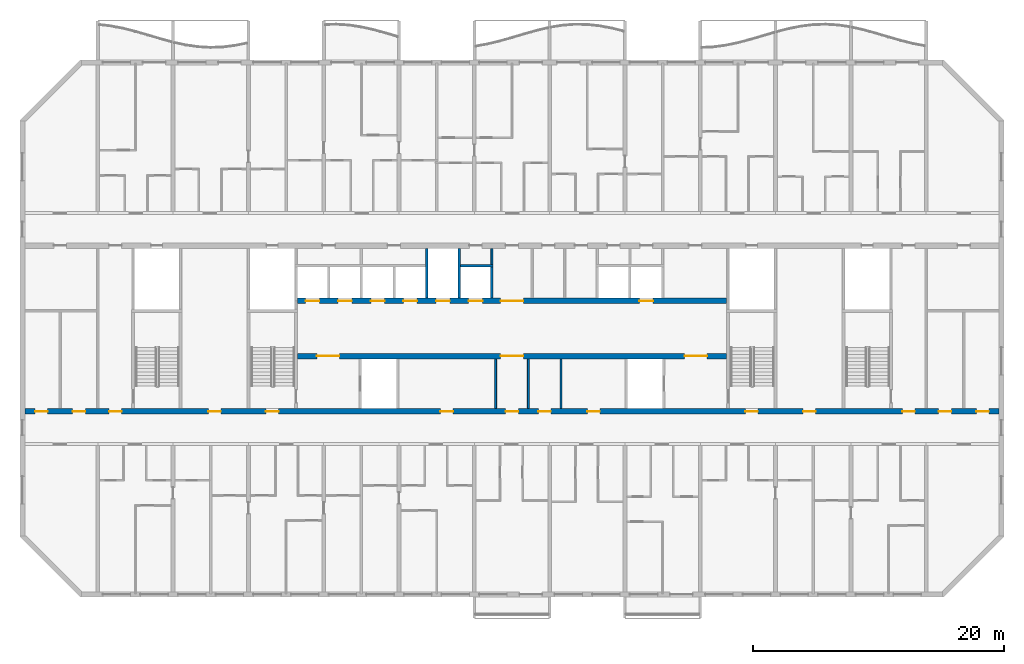
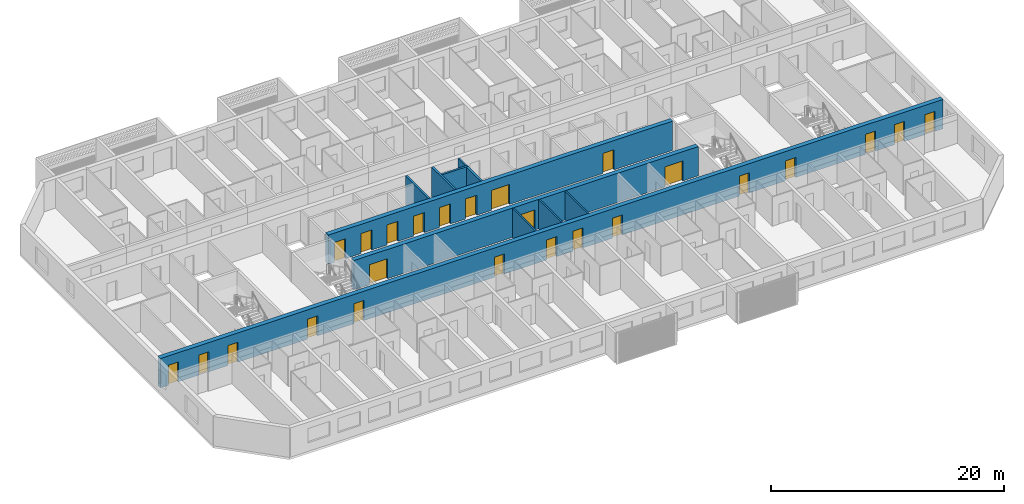
# One storey, part 6 of 31: 25 doors, 11 walls, 25 openings.
"""IFC4 building model written with IfcOpenShell, lengths in metres."""

from ifc_helpers import new_model, si_unit, direction, frame, frame_2d, origin, place, context, subcontext, project, spatial, rectangle, extrude, material, layer, layer_set, type_object, element, fill, save


model = new_model("IFC4")

# Units and contexts
model_context = context("Model", 3, precision=1e-05, world=origin(), true_north=direction((0.0, 1.0)))
body_context = subcontext(model_context, "Body", "Model", "MODEL_VIEW")
ifc_project = project(units=[si_unit("LENGTHUNIT", "METRE"), si_unit("AREAUNIT", "SQUARE_METRE"), si_unit("VOLUMEUNIT", "CUBIC_METRE"), si_unit("PLANEANGLEUNIT", "RADIAN"), si_unit("MASSUNIT", "GRAM", prefix="KILO")], contexts=[model_context])

# Site, building, storey
site_placement = place(None, origin())
site = spatial("IfcSite", under=ifc_project, at=site_placement, CompositionType="ELEMENT")
building_placement = place(site_placement, origin())
building = spatial("IfcBuilding", under=site, at=building_placement, Name="Poui Terraces", CompositionType="ELEMENT")
storey_placement = place(building_placement, frame((0.0, 0.0, 145.5)))
storey = spatial("IfcBuildingStorey", under=building, at=storey_placement, Name="L40", CompositionType="ELEMENT", Elevation=145.5)

# Wall, openings, doors
ifc_material_1 = material(Name="Concrete 65 MPa", Category="concrete")
ifc_layer_1 = layer(ifc_material_1, 0.449951171875)
ifc_layer_set_1 = layer_set([ifc_layer_1], Name="Concrete 65 MPa")
wall_type_1 = type_object("IfcWallType", Name="CORE WALL 450 65 MPA", PredefinedType="SOLIDWALL", material=ifc_layer_set_1)
wall_1_placement = place(storey_placement, frame((33.925048828125, 19.0, 0.0), z_axis=(0.0, 0.0, 1.0), x_axis=(1.0, 0.0, 0.0)))
wall_1 = element("IfcWall", 1, at=wall_1_placement, inside=storey, type_object=wall_type_1, Name="CORE WALL", PredefinedType="SOLIDWALL", context=body_context, shape_type="SweptSolid", body=[
    extrude(rectangle(XDim=34.14990234375, YDim=0.449951171875, at=frame_2d((17.074951171875, 0.0))), origin(), (0.0, 0.0, 1.0), 3.070068359375),
])
opening_1_placement = place(wall_1_placement, frame((16.175048828125, 0.0, 0.0)))
opening_1 = element("IfcOpeningElement", 2, at=opening_1_placement, cuts=wall_1, Name="Opening FDD60", PredefinedType="OPENING", context=body_context, shape_type="SweptSolid", body=[
    extrude(rectangle(XDim=1.800048828125, YDim=2.10009765625, at=frame_2d((0.89990234375, 1.050048828125))), frame((0.0, 0.23486328125, 0.0), z_axis=(0.0, -1.0, 0.0), x_axis=(1.0, 0.0, 0.0)), (0.0, 0.0, 1.0), 0.469970703125),
])
opening_2_placement = place(wall_1_placement, frame((1.52490234375, 0.0, 0.0)))
opening_2 = element("IfcOpeningElement", 3, at=opening_2_placement, cuts=wall_1, Name="Opening FDD60", PredefinedType="OPENING", context=body_context, shape_type="SweptSolid", body=[
    extrude(rectangle(XDim=1.800048828125, YDim=2.10009765625, at=frame_2d((0.89990234375, 1.050048828125))), frame((0.0, 0.23486328125, 0.0), z_axis=(0.0, -1.0, 0.0), x_axis=(1.0, 0.0, 0.0)), (0.0, 0.0, 1.0), 0.469970703125),
])
opening_3_placement = place(wall_1_placement, frame((30.824951171875, 0.0, 0.0)))
opening_3 = element("IfcOpeningElement", 4, at=opening_3_placement, cuts=wall_1, Name="Opening FDD60", PredefinedType="OPENING", context=body_context, shape_type="SweptSolid", body=[
    extrude(rectangle(XDim=1.800048828125, YDim=2.10009765625, at=frame_2d((0.89990234375, 1.050048828125))), frame((0.0, 0.23486328125, 0.0), z_axis=(0.0, -1.0, 0.0), x_axis=(1.0, 0.0, 0.0)), (0.0, 0.0, 1.0), 0.469970703125),
])
ifc_material_2 = material(Name="Steel fire door", Category="steel")
door_type_1 = type_object("IfcDoorType", Name="DOUBLE LOBBY FIRE DOOR 1800 X 2100", OperationType="DOUBLE_DOOR_SINGLE_SWING", PredefinedType="DOOR", material=ifc_material_2)
door_1_placement = place(opening_1_placement, frame((1.800048828125, 0.0, 0.0), z_axis=(0.0, 0.0, 1.0), x_axis=(-1.0, 0.0, 0.0)))
door_1 = element("IfcDoor", 5, at=door_1_placement, inside=storey, type_object=door_type_1, Name="DOUBLE LOBBY FIRE DOOR 125", OperationType="DOUBLE_DOOR_SINGLE_SWING", OverallHeight=2.10009765625, OverallWidth=1.800048828125, PredefinedType="DOOR", context=body_context, shape_type="SweptSolid", body=[
    extrude(rectangle(XDim=1.800048828125, YDim=2.10009765625, at=frame_2d((0.89990234375, 1.050048828125))), frame((0.0, 0.02490234375, 0.0), z_axis=(0.0, -1.0, 0.0), x_axis=(1.0, 0.0, 0.0)), (0.0, 0.0, 1.0), 0.050048828125),
])
fill(opening_1, door_1)
door_2_placement = place(opening_2_placement, origin())
door_2 = element("IfcDoor", 6, at=door_2_placement, inside=storey, type_object=door_type_1, Name="DOUBLE LOBBY FIRE DOOR 127", OperationType="DOUBLE_DOOR_SINGLE_SWING", OverallHeight=2.10009765625, OverallWidth=1.800048828125, PredefinedType="DOOR", context=body_context, shape_type="SweptSolid", body=[
    extrude(rectangle(XDim=1.800048828125, YDim=2.10009765625, at=frame_2d((0.89990234375, 1.050048828125))), frame((0.0, 0.02490234375, 0.0), z_axis=(0.0, -1.0, 0.0), x_axis=(1.0, 0.0, 0.0)), (0.0, 0.0, 1.0), 0.050048828125),
])
fill(opening_2, door_2)
door_3_placement = place(opening_3_placement, origin())
door_3 = element("IfcDoor", 7, at=door_3_placement, inside=storey, type_object=door_type_1, Name="DOUBLE LOBBY FIRE DOOR 134", OperationType="DOUBLE_DOOR_SINGLE_SWING", OverallHeight=2.10009765625, OverallWidth=1.800048828125, PredefinedType="DOOR", context=body_context, shape_type="SweptSolid", body=[
    extrude(rectangle(XDim=1.800048828125, YDim=2.10009765625, at=frame_2d((0.89990234375, 1.050048828125))), frame((0.0, 0.02490234375, 0.0), z_axis=(0.0, -1.0, 0.0), x_axis=(1.0, 0.0, 0.0)), (0.0, 0.0, 1.0), 0.050048828125),
])
fill(opening_3, door_3)

wall_2_placement = place(storey_placement, frame((33.925048828125, 23.39990234375, 0.0), z_axis=(0.0, 0.0, 1.0), x_axis=(1.0, 0.0, 0.0)))
wall_2 = element("IfcWall", 8, at=wall_2_placement, inside=storey, type_object=wall_type_1, Name="CORE WALL", PredefinedType="SOLIDWALL", context=body_context, shape_type="SweptSolid", body=[
    extrude(rectangle(XDim=34.14990234375, YDim=0.449951171875, at=frame_2d((17.074951171875, 0.0))), origin(), (0.0, 0.0, 1.0), 3.070068359375),
])
opening_4_placement = place(wall_2_placement, frame((16.175048828125, 0.0, 0.0)))
opening_4 = element("IfcOpeningElement", 9, at=opening_4_placement, cuts=wall_2, Name="Opening FDD60", PredefinedType="OPENING", context=body_context, shape_type="SweptSolid", body=[
    extrude(rectangle(XDim=1.800048828125, YDim=2.10009765625, at=frame_2d((0.89990234375, 1.050048828125))), frame((0.0, 0.23486328125, 0.0), z_axis=(0.0, -1.0, 0.0), x_axis=(1.0, 0.0, 0.0)), (0.0, 0.0, 1.0), 0.469970703125),
])
opening_5_placement = place(wall_2_placement, frame((0.625, 0.0, 0.0)))
opening_5 = element("IfcOpeningElement", 10, at=opening_5_placement, cuts=wall_2, Name="Opening LD", PredefinedType="OPENING", context=body_context, shape_type="SweptSolid", body=[
    extrude(rectangle(XDim=1.10009765625, YDim=2.10009765625, at=frame_2d((0.550048828125, 1.050048828125))), frame((0.0, 0.23486328125, 0.0), z_axis=(0.0, -1.0, 0.0), x_axis=(1.0, 0.0, 0.0)), (0.0, 0.0, 1.0), 0.469970703125),
])
opening_6_placement = place(wall_2_placement, frame((3.22509765625, 0.0, 0.0)))
opening_6 = element("IfcOpeningElement", 11, at=opening_6_placement, cuts=wall_2, Name="Opening LD", PredefinedType="OPENING", context=body_context, shape_type="SweptSolid", body=[
    extrude(rectangle(XDim=1.10009765625, YDim=2.10009765625, at=frame_2d((0.550048828125, 1.050048828125))), frame((0.0, 0.23486328125, 0.0), z_axis=(0.0, -1.0, 0.0), x_axis=(1.0, 0.0, 0.0)), (0.0, 0.0, 1.0), 0.469970703125),
])
opening_7_placement = place(wall_2_placement, frame((5.824951171875, 0.0, 0.0)))
opening_7 = element("IfcOpeningElement", 12, at=opening_7_placement, cuts=wall_2, Name="Opening LD", PredefinedType="OPENING", context=body_context, shape_type="SweptSolid", body=[
    extrude(rectangle(XDim=1.10009765625, YDim=2.10009765625, at=frame_2d((0.550048828125, 1.050048828125))), frame((0.0, 0.23486328125, 0.0), z_axis=(0.0, -1.0, 0.0), x_axis=(1.0, 0.0, 0.0)), (0.0, 0.0, 1.0), 0.469970703125),
])
opening_8_placement = place(wall_2_placement, frame((8.425048828125, 0.0, 0.0)))
opening_8 = element("IfcOpeningElement", 13, at=opening_8_placement, cuts=wall_2, Name="Opening LD", PredefinedType="OPENING", context=body_context, shape_type="SweptSolid", body=[
    extrude(rectangle(XDim=1.10009765625, YDim=2.10009765625, at=frame_2d((0.550048828125, 1.050048828125))), frame((0.0, 0.23486328125, 0.0), z_axis=(0.0, -1.0, 0.0), x_axis=(1.0, 0.0, 0.0)), (0.0, 0.0, 1.0), 0.469970703125),
])
opening_9_placement = place(wall_2_placement, frame((11.02490234375, 0.0, 0.0)))
opening_9 = element("IfcOpeningElement", 14, at=opening_9_placement, cuts=wall_2, Name="Opening LD", PredefinedType="OPENING", context=body_context, shape_type="SweptSolid", body=[
    extrude(rectangle(XDim=1.10009765625, YDim=2.10009765625, at=frame_2d((0.550048828125, 1.050048828125))), frame((0.0, 0.23486328125, 0.0), z_axis=(0.0, -1.0, 0.0), x_axis=(1.0, 0.0, 0.0)), (0.0, 0.0, 1.0), 0.469970703125),
])
opening_10_placement = place(wall_2_placement, frame((13.625, 0.0, 0.0)))
opening_10 = element("IfcOpeningElement", 15, at=opening_10_placement, cuts=wall_2, Name="Opening LD", PredefinedType="OPENING", context=body_context, shape_type="SweptSolid", body=[
    extrude(rectangle(XDim=1.10009765625, YDim=2.10009765625, at=frame_2d((0.550048828125, 1.050048828125))), frame((0.0, 0.23486328125, 0.0), z_axis=(0.0, -1.0, 0.0), x_axis=(1.0, 0.0, 0.0)), (0.0, 0.0, 1.0), 0.469970703125),
])
opening_11_placement = place(wall_2_placement, frame((27.22509765625, 0.0, 0.0)))
opening_11 = element("IfcOpeningElement", 16, at=opening_11_placement, cuts=wall_2, Name="Opening LD", PredefinedType="OPENING", context=body_context, shape_type="SweptSolid", body=[
    extrude(rectangle(XDim=1.10009765625, YDim=2.10009765625, at=frame_2d((0.550048828125, 1.050048828125))), frame((0.0, 0.23486328125, 0.0), z_axis=(0.0, -1.0, 0.0), x_axis=(1.0, 0.0, 0.0)), (0.0, 0.0, 1.0), 0.469970703125),
])
door_4_placement = place(opening_4_placement, origin())
door_4 = element("IfcDoor", 17, at=door_4_placement, inside=storey, type_object=door_type_1, Name="DOUBLE LOBBY FIRE DOOR 124", OperationType="DOUBLE_DOOR_SINGLE_SWING", OverallHeight=2.10009765625, OverallWidth=1.800048828125, PredefinedType="DOOR", context=body_context, shape_type="SweptSolid", body=[
    extrude(rectangle(XDim=1.800048828125, YDim=2.10009765625, at=frame_2d((0.89990234375, 1.050048828125))), frame((0.0, 0.02490234375, 0.0), z_axis=(0.0, -1.0, 0.0), x_axis=(1.0, 0.0, 0.0)), (0.0, 0.0, 1.0), 0.050048828125),
])
fill(opening_4, door_4)
ifc_material_3 = material(Name="Stainless steel sliding door", Category="steel")
door_type_2 = type_object("IfcDoorType", Name="LIFT LANDING DOOR 1100 X 2100", OperationType="DOUBLE_DOOR_SLIDING", PredefinedType="DOOR", material=ifc_material_3)
door_5_placement = place(opening_5_placement, origin())
door_5 = element("IfcDoor", 18, at=door_5_placement, inside=storey, type_object=door_type_2, Name="LANDING DOOR", OperationType="DOUBLE_DOOR_SLIDING", OverallHeight=2.10009765625, OverallWidth=1.10009765625, PredefinedType="DOOR", context=body_context, shape_type="SweptSolid", body=[
    extrude(rectangle(XDim=1.10009765625, YDim=2.10009765625, at=frame_2d((0.550048828125, 1.050048828125))), frame((0.0, 0.02490234375, 0.0), z_axis=(0.0, -1.0, 0.0), x_axis=(1.0, 0.0, 0.0)), (0.0, 0.0, 1.0), 0.050048828125),
])
fill(opening_5, door_5)
door_6_placement = place(opening_6_placement, origin())
door_6 = element("IfcDoor", 19, at=door_6_placement, inside=storey, type_object=door_type_2, Name="LANDING DOOR", OperationType="DOUBLE_DOOR_SLIDING", OverallHeight=2.10009765625, OverallWidth=1.10009765625, PredefinedType="DOOR", context=body_context, shape_type="SweptSolid", body=[
    extrude(rectangle(XDim=1.10009765625, YDim=2.10009765625, at=frame_2d((0.550048828125, 1.050048828125))), frame((0.0, 0.02490234375, 0.0), z_axis=(0.0, -1.0, 0.0), x_axis=(1.0, 0.0, 0.0)), (0.0, 0.0, 1.0), 0.050048828125),
])
fill(opening_6, door_6)
door_7_placement = place(opening_7_placement, origin())
door_7 = element("IfcDoor", 20, at=door_7_placement, inside=storey, type_object=door_type_2, Name="LANDING DOOR", OperationType="DOUBLE_DOOR_SLIDING", OverallHeight=2.10009765625, OverallWidth=1.10009765625, PredefinedType="DOOR", context=body_context, shape_type="SweptSolid", body=[
    extrude(rectangle(XDim=1.10009765625, YDim=2.10009765625, at=frame_2d((0.550048828125, 1.050048828125))), frame((0.0, 0.02490234375, 0.0), z_axis=(0.0, -1.0, 0.0), x_axis=(1.0, 0.0, 0.0)), (0.0, 0.0, 1.0), 0.050048828125),
])
fill(opening_7, door_7)
door_8_placement = place(opening_8_placement, origin())
door_8 = element("IfcDoor", 21, at=door_8_placement, inside=storey, type_object=door_type_2, Name="LANDING DOOR", OperationType="DOUBLE_DOOR_SLIDING", OverallHeight=2.10009765625, OverallWidth=1.10009765625, PredefinedType="DOOR", context=body_context, shape_type="SweptSolid", body=[
    extrude(rectangle(XDim=1.10009765625, YDim=2.10009765625, at=frame_2d((0.550048828125, 1.050048828125))), frame((0.0, 0.02490234375, 0.0), z_axis=(0.0, -1.0, 0.0), x_axis=(1.0, 0.0, 0.0)), (0.0, 0.0, 1.0), 0.050048828125),
])
fill(opening_8, door_8)
door_9_placement = place(opening_9_placement, origin())
door_9 = element("IfcDoor", 22, at=door_9_placement, inside=storey, type_object=door_type_2, Name="LANDING DOOR", OperationType="DOUBLE_DOOR_SLIDING", OverallHeight=2.10009765625, OverallWidth=1.10009765625, PredefinedType="DOOR", context=body_context, shape_type="SweptSolid", body=[
    extrude(rectangle(XDim=1.10009765625, YDim=2.10009765625, at=frame_2d((0.550048828125, 1.050048828125))), frame((0.0, 0.02490234375, 0.0), z_axis=(0.0, -1.0, 0.0), x_axis=(1.0, 0.0, 0.0)), (0.0, 0.0, 1.0), 0.050048828125),
])
fill(opening_9, door_9)
door_10_placement = place(opening_10_placement, origin())
door_10 = element("IfcDoor", 23, at=door_10_placement, inside=storey, type_object=door_type_2, Name="LANDING DOOR", OperationType="DOUBLE_DOOR_SLIDING", OverallHeight=2.10009765625, OverallWidth=1.10009765625, PredefinedType="DOOR", context=body_context, shape_type="SweptSolid", body=[
    extrude(rectangle(XDim=1.10009765625, YDim=2.10009765625, at=frame_2d((0.550048828125, 1.050048828125))), frame((0.0, 0.02490234375, 0.0), z_axis=(0.0, -1.0, 0.0), x_axis=(1.0, 0.0, 0.0)), (0.0, 0.0, 1.0), 0.050048828125),
])
fill(opening_10, door_10)
door_11_placement = place(opening_11_placement, origin())
door_11 = element("IfcDoor", 24, at=door_11_placement, inside=storey, type_object=door_type_2, Name="LANDING DOOR", OperationType="DOUBLE_DOOR_SLIDING", OverallHeight=2.10009765625, OverallWidth=1.10009765625, PredefinedType="DOOR", context=body_context, shape_type="SweptSolid", body=[
    extrude(rectangle(XDim=1.10009765625, YDim=2.10009765625, at=frame_2d((0.550048828125, 1.050048828125))), frame((0.0, 0.02490234375, 0.0), z_axis=(0.0, -1.0, 0.0), x_axis=(1.0, 0.0, 0.0)), (0.0, 0.0, 1.0), 0.050048828125),
])
fill(opening_11, door_11)

# Walls
ifc_material_4 = material(Name="Fire-rated plasterboard wall")
ifc_layer_2 = layer(ifc_material_4, 0.14990234375)
ifc_layer_set_2 = layer_set([ifc_layer_2], Name="Fire-rated plasterboard wall")
wall_type_2 = type_object("IfcWallType", Name="CORRIDOR WALL 150", PredefinedType="PARTITIONING", material=ifc_layer_set_2)
wall_3_placement = place(storey_placement, frame((49.39990234375, 26.300048828125, 0.0), z_axis=(0.0, 0.0, 1.0), x_axis=(0.0, 1.0, 0.0)))
element("IfcWall", 25, at=wall_3_placement, inside=storey, type_object=wall_type_2, Name="CORRIDOR WALL 150", PredefinedType="PARTITIONING", context=body_context, shape_type="SweptSolid", body=[
    extrude(rectangle(XDim=1.264892578125, YDim=0.14990234375, at=frame_2d((0.63232421875, 0.0))), origin(), (0.0, 0.0, 1.0), 3.070068359375),
])
for number, where, z_axis, x_axis, name in (
    (26, (49.699951171875, 14.8349609375, 0.0), (0.0, 0.0, 1.0), (0.0, 1.0, 0.0), "CORRIDOR WALL 150"),
    (27, (52.300048828125, 14.8349609375, 0.0), (0.0, 0.0, 1.0), (0.0, 1.0, 0.0), "CORRIDOR WALL 150"),
):
    element("IfcWall", number, at=place(storey_placement, frame(where, z_axis=z_axis, x_axis=x_axis)), inside=storey, type_object=wall_type_2, Name=name, PredefinedType="PARTITIONING", context=body_context, shape_type="SweptSolid", body=[
        extrude(rectangle(XDim=3.929931640625, YDim=0.14990234375, at=frame_2d((1.96484375, 0.0))), origin(), (0.0, 0.0, 1.0), 3.070068359375),
    ])
ifc_material_5 = material(Name="Plasterboard partition")
ifc_layer_3 = layer(ifc_material_5, 0.14990234375)
ifc_layer_set_3 = layer_set([ifc_layer_3], Name="Plasterboard partition")
wall_type_3 = type_object("IfcWallType", Name="PARTITION WALL 150", PredefinedType="PARTITIONING", material=ifc_layer_set_3)
wall_4_placement = place(storey_placement, frame((54.89990234375, 14.8349609375, 0.0), z_axis=(0.0, 0.0, 1.0), x_axis=(0.0, 1.0, 0.0)))
element("IfcWall", 28, at=wall_4_placement, inside=storey, type_object=wall_type_3, Name="PARTITION WALL 150", PredefinedType="PARTITIONING", context=body_context, shape_type="SweptSolid", body=[
    extrude(rectangle(XDim=3.929931640625, YDim=0.14990234375, at=frame_2d((1.96484375, 0.0))), origin(), (0.0, 0.0, 1.0), 3.070068359375),
])
ifc_material_6 = material(Name="Fire-rated masonry shaft wall", Category="masonry")
ifc_layer_4 = layer(ifc_material_6, 0.199951171875)
ifc_layer_set_4 = layer_set([ifc_layer_4], Name="Fire-rated masonry shaft wall")
wall_type_4 = type_object("IfcWallType", Name="SHAFT WALL 200", PredefinedType="PARTITIONING", material=ifc_layer_set_4)
wall_5_placement = place(storey_placement, frame((46.89990234375, 26.199951171875, 0.0), z_axis=(0.0, 0.0, 1.0), x_axis=(1.0, 0.0, 0.0)))
element("IfcWall", 29, at=wall_5_placement, inside=storey, type_object=wall_type_4, Name="SHAFT WALL 200", PredefinedType="PARTITIONING", context=body_context, shape_type="SweptSolid", body=[
    extrude(rectangle(XDim=2.60009765625, YDim=0.199951171875, at=frame_2d((1.300048828125, 0.0))), origin(), (0.0, 0.0, 1.0), 3.070068359375),
])
for number, where, z_axis, x_axis, name in (
    (30, (44.199951171875, 23.635009765625, 0.0), (0.0, 0.0, 1.0), (0.0, 1.0, 0.0), "SHAFT WALL 200"),
    (31, (46.800048828125, 23.635009765625, 0.0), (0.0, 0.0, 1.0), (0.0, 1.0, 0.0), "SHAFT WALL 200"),
):
    element("IfcWall", number, at=place(storey_placement, frame(where, z_axis=z_axis, x_axis=x_axis)), inside=storey, type_object=wall_type_4, Name=name, PredefinedType="PARTITIONING", context=body_context, shape_type="SweptSolid", body=[
        extrude(rectangle(XDim=3.929931640625, YDim=0.199951171875, at=frame_2d((1.96484375, 0.0))), origin(), (0.0, 0.0, 1.0), 3.070068359375),
    ])
wall_6_placement = place(storey_placement, frame((49.39990234375, 23.635009765625, 0.0), z_axis=(0.0, 0.0, 1.0), x_axis=(0.0, 1.0, 0.0)))
element("IfcWall", 32, at=wall_6_placement, inside=storey, type_object=wall_type_4, Name="SHAFT WALL 200", PredefinedType="PARTITIONING", context=body_context, shape_type="SweptSolid", body=[
    extrude(rectangle(XDim=2.465087890625, YDim=0.199951171875, at=frame_2d((1.232421875, 0.0))), origin(), (0.0, 0.0, 1.0), 3.070068359375),
])

# Wall, openings, doors
ifc_layer_5 = layer(ifc_material_1, 0.449951171875)
ifc_layer_set_5 = layer_set([ifc_layer_5], Name="Concrete 65 MPa")
wall_type_5 = type_object("IfcWallType", Name="SPINE WALL 450 65 MPA", PredefinedType="SOLIDWALL", material=ifc_layer_set_5)
wall_7_placement = place(storey_placement, frame((12.199951171875, 14.60009765625, 0.0), z_axis=(0.0, 0.0, 1.0), x_axis=(1.0, 0.0, 0.0)))
wall_7 = element("IfcWall", 33, at=wall_7_placement, inside=storey, type_object=wall_type_5, Name="SPINE WALL", PredefinedType="SOLIDWALL", context=body_context, shape_type="SweptSolid", body=[
    extrude(rectangle(XDim=77.60009765625, YDim=0.449951171875, at=frame_2d((38.800048828125, 0.0))), origin(), (0.0, 0.0, 1.0), 3.070068359375),
])
opening_12_placement = place(wall_7_placement, frame((0.800048828125, 0.0, 0.0)))
opening_12 = element("IfcOpeningElement", 34, at=opening_12_placement, cuts=wall_7, Name="Opening FD60", PredefinedType="OPENING", context=body_context, shape_type="SweptSolid", body=[
    extrude(rectangle(XDim=1.0, YDim=2.10009765625, at=frame_2d((0.5, 1.050048828125))), frame((0.0, 0.23486328125, 0.0), z_axis=(0.0, -1.0, 0.0), x_axis=(1.0, 0.0, 0.0)), (0.0, 0.0, 1.0), 0.469970703125),
])
opening_13_placement = place(wall_7_placement, frame((3.800048828125, 0.0, 0.0)))
opening_13 = element("IfcOpeningElement", 35, at=opening_13_placement, cuts=wall_7, Name="Opening FD60", PredefinedType="OPENING", context=body_context, shape_type="SweptSolid", body=[
    extrude(rectangle(XDim=1.0, YDim=2.10009765625, at=frame_2d((0.5, 1.050048828125))), frame((0.0, 0.23486328125, 0.0), z_axis=(0.0, -1.0, 0.0), x_axis=(1.0, 0.0, 0.0)), (0.0, 0.0, 1.0), 0.469970703125),
])
opening_14_placement = place(wall_7_placement, frame((6.699951171875, 0.0, 0.0)))
opening_14 = element("IfcOpeningElement", 36, at=opening_14_placement, cuts=wall_7, Name="Opening FDL", PredefinedType="OPENING", context=body_context, shape_type="SweptSolid", body=[
    extrude(rectangle(XDim=1.0, YDim=2.10009765625, at=frame_2d((0.5, 1.050048828125))), frame((0.0, 0.23486328125, 0.0), z_axis=(0.0, -1.0, 0.0), x_axis=(1.0, 0.0, 0.0)), (0.0, 0.0, 1.0), 0.469970703125),
])
opening_15_placement = place(wall_7_placement, frame((14.60009765625, 0.0, 0.0)))
opening_15 = element("IfcOpeningElement", 37, at=opening_15_placement, cuts=wall_7, Name="Opening D100", PredefinedType="OPENING", context=body_context, shape_type="SweptSolid", body=[
    extrude(rectangle(XDim=1.0, YDim=2.10009765625, at=frame_2d((0.5, 1.050048828125))), frame((0.0, 0.23486328125, 0.0), z_axis=(0.0, -1.0, 0.0), x_axis=(1.0, 0.0, 0.0)), (0.0, 0.0, 1.0), 0.469970703125),
])
opening_16_placement = place(wall_7_placement, frame((19.199951171875, 0.0, 0.0)))
opening_16 = element("IfcOpeningElement", 38, at=opening_16_placement, cuts=wall_7, Name="Opening FD60S", PredefinedType="OPENING", context=body_context, shape_type="SweptSolid", body=[
    extrude(rectangle(XDim=1.0, YDim=2.10009765625, at=frame_2d((0.5, 1.050048828125))), frame((0.0, 0.23486328125, 0.0), z_axis=(0.0, -1.0, 0.0), x_axis=(1.0, 0.0, 0.0)), (0.0, 0.0, 1.0), 0.469970703125),
])
opening_17_placement = place(wall_7_placement, frame((33.10009765625, 0.0, 0.0)))
opening_17 = element("IfcOpeningElement", 39, at=opening_17_placement, cuts=wall_7, Name="Opening FD60", PredefinedType="OPENING", context=body_context, shape_type="SweptSolid", body=[
    extrude(rectangle(XDim=1.0, YDim=2.10009765625, at=frame_2d((0.5, 1.050048828125))), frame((0.0, 0.23486328125, 0.0), z_axis=(0.0, -1.0, 0.0), x_axis=(1.0, 0.0, 0.0)), (0.0, 0.0, 1.0), 0.469970703125),
])
opening_18_placement = place(wall_7_placement, frame((38.300048828125, 0.0, 0.0)))
opening_18 = element("IfcOpeningElement", 40, at=opening_18_placement, cuts=wall_7, Name="Opening FDL", PredefinedType="OPENING", context=body_context, shape_type="SweptSolid", body=[
    extrude(rectangle(XDim=1.0, YDim=2.10009765625, at=frame_2d((0.5, 1.050048828125))), frame((0.0, 0.23486328125, 0.0), z_axis=(0.0, -1.0, 0.0), x_axis=(1.0, 0.0, 0.0)), (0.0, 0.0, 1.0), 0.469970703125),
])
opening_19_placement = place(wall_7_placement, frame((40.89990234375, 0.0, 0.0)))
opening_19 = element("IfcOpeningElement", 41, at=opening_19_placement, cuts=wall_7, Name="Opening FD60", PredefinedType="OPENING", context=body_context, shape_type="SweptSolid", body=[
    extrude(rectangle(XDim=1.0, YDim=2.10009765625, at=frame_2d((0.5, 1.050048828125))), frame((0.0, 0.23486328125, 0.0), z_axis=(0.0, -1.0, 0.0), x_axis=(1.0, 0.0, 0.0)), (0.0, 0.0, 1.0), 0.469970703125),
])
opening_20_placement = place(wall_7_placement, frame((44.800048828125, 0.0, 0.0)))
opening_20 = element("IfcOpeningElement", 42, at=opening_20_placement, cuts=wall_7, Name="Opening FD60", PredefinedType="OPENING", context=body_context, shape_type="SweptSolid", body=[
    extrude(rectangle(XDim=1.0, YDim=2.10009765625, at=frame_2d((0.5, 1.050048828125))), frame((0.0, 0.23486328125, 0.0), z_axis=(0.0, -1.0, 0.0), x_axis=(1.0, 0.0, 0.0)), (0.0, 0.0, 1.0), 0.469970703125),
])
opening_21_placement = place(wall_7_placement, frame((57.39990234375, 0.0, 0.0)))
opening_21 = element("IfcOpeningElement", 43, at=opening_21_placement, cuts=wall_7, Name="Opening FD60S", PredefinedType="OPENING", context=body_context, shape_type="SweptSolid", body=[
    extrude(rectangle(XDim=1.0, YDim=2.10009765625, at=frame_2d((0.5, 1.050048828125))), frame((0.0, 0.23486328125, 0.0), z_axis=(0.0, -1.0, 0.0), x_axis=(1.0, 0.0, 0.0)), (0.0, 0.0, 1.0), 0.469970703125),
])
opening_22_placement = place(wall_7_placement, frame((62.0, 0.0, 0.0)))
opening_22 = element("IfcOpeningElement", 44, at=opening_22_placement, cuts=wall_7, Name="Opening D100", PredefinedType="OPENING", context=body_context, shape_type="SweptSolid", body=[
    extrude(rectangle(XDim=1.0, YDim=2.10009765625, at=frame_2d((0.5, 1.050048828125))), frame((0.0, 0.23486328125, 0.0), z_axis=(0.0, -1.0, 0.0), x_axis=(1.0, 0.0, 0.0)), (0.0, 0.0, 1.0), 0.469970703125),
])
opening_23_placement = place(wall_7_placement, frame((69.89990234375, 0.0, 0.0)))
opening_23 = element("IfcOpeningElement", 45, at=opening_23_placement, cuts=wall_7, Name="Opening FDL", PredefinedType="OPENING", context=body_context, shape_type="SweptSolid", body=[
    extrude(rectangle(XDim=1.0, YDim=2.10009765625, at=frame_2d((0.5, 1.050048828125))), frame((0.0, 0.23486328125, 0.0), z_axis=(0.0, -1.0, 0.0), x_axis=(1.0, 0.0, 0.0)), (0.0, 0.0, 1.0), 0.469970703125),
])
opening_24_placement = place(wall_7_placement, frame((72.800048828125, 0.0, 0.0)))
opening_24 = element("IfcOpeningElement", 46, at=opening_24_placement, cuts=wall_7, Name="Opening FD60", PredefinedType="OPENING", context=body_context, shape_type="SweptSolid", body=[
    extrude(rectangle(XDim=1.0, YDim=2.10009765625, at=frame_2d((0.5, 1.050048828125))), frame((0.0, 0.23486328125, 0.0), z_axis=(0.0, -1.0, 0.0), x_axis=(1.0, 0.0, 0.0)), (0.0, 0.0, 1.0), 0.469970703125),
])
opening_25_placement = place(wall_7_placement, frame((75.800048828125, 0.0, 0.0)))
opening_25 = element("IfcOpeningElement", 47, at=opening_25_placement, cuts=wall_7, Name="Opening D100", PredefinedType="OPENING", context=body_context, shape_type="SweptSolid", body=[
    extrude(rectangle(XDim=1.0, YDim=2.10009765625, at=frame_2d((0.5, 1.050048828125))), frame((0.0, 0.23486328125, 0.0), z_axis=(0.0, -1.0, 0.0), x_axis=(1.0, 0.0, 0.0)), (0.0, 0.0, 1.0), 0.469970703125),
])
ifc_material_7 = material(Name="Solid core timber door", Category="wood")
door_type_3 = type_object("IfcDoorType", Name="ACCESSIBLE INTERNAL DOOR 1000 X 2100", OperationType="NOTDEFINED", PredefinedType="DOOR", material=ifc_material_7)
door_12_placement = place(opening_15_placement, frame((1.0, 0.0, 0.0), z_axis=(0.0, 0.0, 1.0), x_axis=(-1.0, 0.0, 0.0)))
door_12 = element("IfcDoor", 48, at=door_12_placement, inside=storey, type_object=door_type_3, Name="ACCESSIBLE INTERNAL DOOR 021", OperationType="SINGLE_SWING_RIGHT", OverallHeight=2.10009765625, OverallWidth=1.0, PredefinedType="DOOR", context=body_context, shape_type="SweptSolid", body=[
    extrude(rectangle(XDim=1.0, YDim=2.10009765625, at=frame_2d((0.5, 1.050048828125))), frame((0.0, 0.02490234375, 0.0), z_axis=(0.0, -1.0, 0.0), x_axis=(1.0, 0.0, 0.0)), (0.0, 0.0, 1.0), 0.050048828125),
])
fill(opening_15, door_12)
door_13_placement = place(opening_22_placement, frame((1.0, 0.0, 0.0), z_axis=(0.0, 0.0, 1.0), x_axis=(-1.0, 0.0, 0.0)))
door_13 = element("IfcDoor", 49, at=door_13_placement, inside=storey, type_object=door_type_3, Name="ACCESSIBLE INTERNAL DOOR 028", OperationType="SINGLE_SWING_LEFT", OverallHeight=2.10009765625, OverallWidth=1.0, PredefinedType="DOOR", context=body_context, shape_type="SweptSolid", body=[
    extrude(rectangle(XDim=1.0, YDim=2.10009765625, at=frame_2d((0.5, 1.050048828125))), frame((0.0, 0.02490234375, 0.0), z_axis=(0.0, -1.0, 0.0), x_axis=(1.0, 0.0, 0.0)), (0.0, 0.0, 1.0), 0.050048828125),
])
fill(opening_22, door_13)
door_14_placement = place(opening_25_placement, frame((1.0, 0.0, 0.0), z_axis=(0.0, 0.0, 1.0), x_axis=(-1.0, 0.0, 0.0)))
door_14 = element("IfcDoor", 50, at=door_14_placement, inside=storey, type_object=door_type_3, Name="ACCESSIBLE INTERNAL DOOR 031", OperationType="SINGLE_SWING_RIGHT", OverallHeight=2.10009765625, OverallWidth=1.0, PredefinedType="DOOR", context=body_context, shape_type="SweptSolid", body=[
    extrude(rectangle(XDim=1.0, YDim=2.10009765625, at=frame_2d((0.5, 1.050048828125))), frame((0.0, 0.02490234375, 0.0), z_axis=(0.0, -1.0, 0.0), x_axis=(1.0, 0.0, 0.0)), (0.0, 0.0, 1.0), 0.050048828125),
])
fill(opening_25, door_14)
door_type_4 = type_object("IfcDoorType", Name="LOBBY FIRE DOOR 1000 X 2100", OperationType="NOTDEFINED", PredefinedType="DOOR", material=ifc_material_2)
door_15_placement = place(opening_14_placement, frame((1.0, 0.0, 0.0), z_axis=(0.0, 0.0, 1.0), x_axis=(-1.0, 0.0, 0.0)))
door_15 = element("IfcDoor", 51, at=door_15_placement, inside=storey, type_object=door_type_4, Name="LOBBY FIRE DOOR 020", OperationType="SINGLE_SWING_RIGHT", OverallHeight=2.10009765625, OverallWidth=1.0, PredefinedType="DOOR", context=body_context, shape_type="SweptSolid", body=[
    extrude(rectangle(XDim=1.0, YDim=2.10009765625, at=frame_2d((0.5, 1.050048828125))), frame((0.0, 0.02490234375, 0.0), z_axis=(0.0, -1.0, 0.0), x_axis=(1.0, 0.0, 0.0)), (0.0, 0.0, 1.0), 0.050048828125),
])
fill(opening_14, door_15)
door_16_placement = place(opening_18_placement, frame((1.0, 0.0, 0.0), z_axis=(0.0, 0.0, 1.0), x_axis=(-1.0, 0.0, 0.0)))
door_16 = element("IfcDoor", 52, at=door_16_placement, inside=storey, type_object=door_type_4, Name="LOBBY FIRE DOOR 024", OperationType="SINGLE_SWING_LEFT", OverallHeight=2.10009765625, OverallWidth=1.0, PredefinedType="DOOR", context=body_context, shape_type="SweptSolid", body=[
    extrude(rectangle(XDim=1.0, YDim=2.10009765625, at=frame_2d((0.5, 1.050048828125))), frame((0.0, 0.02490234375, 0.0), z_axis=(0.0, -1.0, 0.0), x_axis=(1.0, 0.0, 0.0)), (0.0, 0.0, 1.0), 0.050048828125),
])
fill(opening_18, door_16)
door_17_placement = place(opening_23_placement, frame((1.0, 0.0, 0.0), z_axis=(0.0, 0.0, 1.0), x_axis=(-1.0, 0.0, 0.0)))
door_17 = element("IfcDoor", 53, at=door_17_placement, inside=storey, type_object=door_type_4, Name="LOBBY FIRE DOOR 029", OperationType="SINGLE_SWING_LEFT", OverallHeight=2.10009765625, OverallWidth=1.0, PredefinedType="DOOR", context=body_context, shape_type="SweptSolid", body=[
    extrude(rectangle(XDim=1.0, YDim=2.10009765625, at=frame_2d((0.5, 1.050048828125))), frame((0.0, 0.02490234375, 0.0), z_axis=(0.0, -1.0, 0.0), x_axis=(1.0, 0.0, 0.0)), (0.0, 0.0, 1.0), 0.050048828125),
])
fill(opening_23, door_17)
door_type_5 = type_object("IfcDoorType", Name="SERVICE ROOM FIRE DOOR 1000 X 2100", OperationType="NOTDEFINED", PredefinedType="DOOR", material=ifc_material_2)
door_18_placement = place(opening_12_placement, frame((1.0, 0.0, 0.0), z_axis=(0.0, 0.0, 1.0), x_axis=(-1.0, 0.0, 0.0)))
door_18 = element("IfcDoor", 54, at=door_18_placement, inside=storey, type_object=door_type_5, Name="SERVICE ROOM FIRE DOOR 018", OperationType="SINGLE_SWING_RIGHT", OverallHeight=2.10009765625, OverallWidth=1.0, PredefinedType="DOOR", context=body_context, shape_type="SweptSolid", body=[
    extrude(rectangle(XDim=1.0, YDim=2.10009765625, at=frame_2d((0.5, 1.050048828125))), frame((0.0, 0.02490234375, 0.0), z_axis=(0.0, -1.0, 0.0), x_axis=(1.0, 0.0, 0.0)), (0.0, 0.0, 1.0), 0.050048828125),
])
fill(opening_12, door_18)
door_19_placement = place(opening_13_placement, frame((1.0, 0.0, 0.0), z_axis=(0.0, 0.0, 1.0), x_axis=(-1.0, 0.0, 0.0)))
door_19 = element("IfcDoor", 55, at=door_19_placement, inside=storey, type_object=door_type_5, Name="SERVICE ROOM FIRE DOOR 019", OperationType="SINGLE_SWING_LEFT", OverallHeight=2.10009765625, OverallWidth=1.0, PredefinedType="DOOR", context=body_context, shape_type="SweptSolid", body=[
    extrude(rectangle(XDim=1.0, YDim=2.10009765625, at=frame_2d((0.5, 1.050048828125))), frame((0.0, 0.02490234375, 0.0), z_axis=(0.0, -1.0, 0.0), x_axis=(1.0, 0.0, 0.0)), (0.0, 0.0, 1.0), 0.050048828125),
])
fill(opening_13, door_19)
door_20_placement = place(opening_17_placement, frame((1.0, 0.0, 0.0), z_axis=(0.0, 0.0, 1.0), x_axis=(-1.0, 0.0, 0.0)))
door_20 = element("IfcDoor", 56, at=door_20_placement, inside=storey, type_object=door_type_5, Name="SERVICE ROOM FIRE DOOR 023", OperationType="SINGLE_SWING_LEFT", OverallHeight=2.10009765625, OverallWidth=1.0, PredefinedType="DOOR", context=body_context, shape_type="SweptSolid", body=[
    extrude(rectangle(XDim=1.0, YDim=2.10009765625, at=frame_2d((0.5, 1.050048828125))), frame((0.0, 0.02490234375, 0.0), z_axis=(0.0, -1.0, 0.0), x_axis=(1.0, 0.0, 0.0)), (0.0, 0.0, 1.0), 0.050048828125),
])
fill(opening_17, door_20)
door_21_placement = place(opening_19_placement, frame((1.0, 0.0, 0.0), z_axis=(0.0, 0.0, 1.0), x_axis=(-1.0, 0.0, 0.0)))
door_21 = element("IfcDoor", 57, at=door_21_placement, inside=storey, type_object=door_type_5, Name="SERVICE ROOM FIRE DOOR 025", OperationType="SINGLE_SWING_RIGHT", OverallHeight=2.10009765625, OverallWidth=1.0, PredefinedType="DOOR", context=body_context, shape_type="SweptSolid", body=[
    extrude(rectangle(XDim=1.0, YDim=2.10009765625, at=frame_2d((0.5, 1.050048828125))), frame((0.0, 0.02490234375, 0.0), z_axis=(0.0, -1.0, 0.0), x_axis=(1.0, 0.0, 0.0)), (0.0, 0.0, 1.0), 0.050048828125),
])
fill(opening_19, door_21)
door_22_placement = place(opening_20_placement, frame((1.0, 0.0, 0.0), z_axis=(0.0, 0.0, 1.0), x_axis=(-1.0, 0.0, 0.0)))
door_22 = element("IfcDoor", 58, at=door_22_placement, inside=storey, type_object=door_type_5, Name="SERVICE ROOM FIRE DOOR 026", OperationType="SINGLE_SWING_LEFT", OverallHeight=2.10009765625, OverallWidth=1.0, PredefinedType="DOOR", context=body_context, shape_type="SweptSolid", body=[
    extrude(rectangle(XDim=1.0, YDim=2.10009765625, at=frame_2d((0.5, 1.050048828125))), frame((0.0, 0.02490234375, 0.0), z_axis=(0.0, -1.0, 0.0), x_axis=(1.0, 0.0, 0.0)), (0.0, 0.0, 1.0), 0.050048828125),
])
fill(opening_20, door_22)
door_23_placement = place(opening_24_placement, frame((1.0, 0.0, 0.0), z_axis=(0.0, 0.0, 1.0), x_axis=(-1.0, 0.0, 0.0)))
door_23 = element("IfcDoor", 59, at=door_23_placement, inside=storey, type_object=door_type_5, Name="SERVICE ROOM FIRE DOOR 030", OperationType="SINGLE_SWING_LEFT", OverallHeight=2.10009765625, OverallWidth=1.0, PredefinedType="DOOR", context=body_context, shape_type="SweptSolid", body=[
    extrude(rectangle(XDim=1.0, YDim=2.10009765625, at=frame_2d((0.5, 1.050048828125))), frame((0.0, 0.02490234375, 0.0), z_axis=(0.0, -1.0, 0.0), x_axis=(1.0, 0.0, 0.0)), (0.0, 0.0, 1.0), 0.050048828125),
])
fill(opening_24, door_23)
door_type_6 = type_object("IfcDoorType", Name="STAIR DOOR 1000 X 2100", OperationType="NOTDEFINED", PredefinedType="DOOR", material=ifc_material_2)
door_24_placement = place(opening_16_placement, origin())
door_24 = element("IfcDoor", 60, at=door_24_placement, inside=storey, type_object=door_type_6, Name="STAIR DOOR 022", OperationType="SINGLE_SWING_RIGHT", OverallHeight=2.10009765625, OverallWidth=1.0, PredefinedType="DOOR", context=body_context, shape_type="SweptSolid", body=[
    extrude(rectangle(XDim=1.0, YDim=2.10009765625, at=frame_2d((0.5, 1.050048828125))), frame((0.0, 0.02490234375, 0.0), z_axis=(0.0, -1.0, 0.0), x_axis=(1.0, 0.0, 0.0)), (0.0, 0.0, 1.0), 0.050048828125),
])
fill(opening_16, door_24)
door_25_placement = place(opening_21_placement, origin())
door_25 = element("IfcDoor", 61, at=door_25_placement, inside=storey, type_object=door_type_6, Name="STAIR DOOR 027", OperationType="SINGLE_SWING_RIGHT", OverallHeight=2.10009765625, OverallWidth=1.0, PredefinedType="DOOR", context=body_context, shape_type="SweptSolid", body=[
    extrude(rectangle(XDim=1.0, YDim=2.10009765625, at=frame_2d((0.5, 1.050048828125))), frame((0.0, 0.02490234375, 0.0), z_axis=(0.0, -1.0, 0.0), x_axis=(1.0, 0.0, 0.0)), (0.0, 0.0, 1.0), 0.050048828125),
])
fill(opening_21, door_25)

save(model, "model.ifc")
